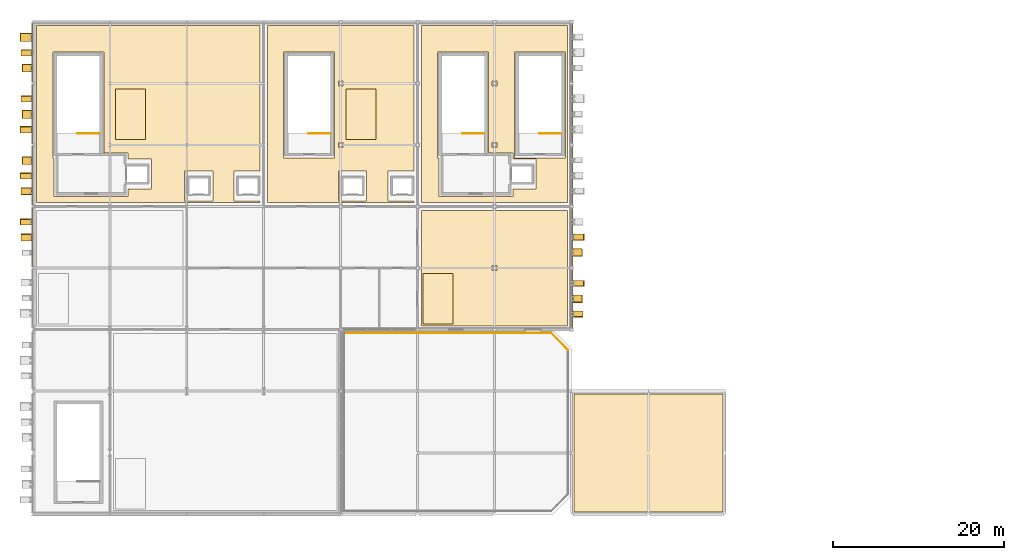
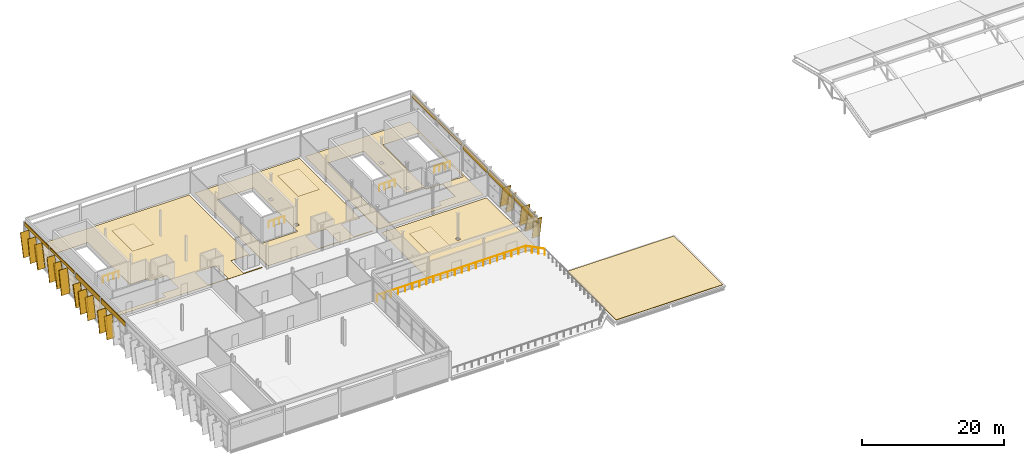
# One storey, part 51 of 52: 33 coverings, 16 shading devices, 6 railings.
"""IFC4 building model written with IfcOpenShell, lengths in metres."""

from ifc_helpers import new_model, si_unit, direction, frame, origin, origin_2d, place, context, subcontext, project, spatial, polyline, rectangle, circle, outline, extrude, material, layer, layer_set, material_profile, profile_set, type_object, element, save


model = new_model("IFC4")

# Units and contexts
model_context = context("Model", 3, precision=1e-05, world=origin(), true_north=direction((0.0, 1.0)))
body_context = subcontext(model_context, "Body", "Model", "MODEL_VIEW")
ifc_project = project(units=[si_unit("LENGTHUNIT", "METRE"), si_unit("AREAUNIT", "SQUARE_METRE"), si_unit("VOLUMEUNIT", "CUBIC_METRE"), si_unit("PLANEANGLEUNIT", "RADIAN"), si_unit("MASSUNIT", "GRAM", prefix="KILO")], contexts=[model_context])

# Site, building, storey
site_placement = place(None, origin())
site = spatial("IfcSite", under=ifc_project, at=site_placement, CompositionType="ELEMENT")
building_placement = place(site_placement, origin())
building = spatial("IfcBuilding", under=site, at=building_placement, Name="Celestram Park Convention Centre", CompositionType="ELEMENT")
storey_placement = place(building_placement, frame((0.0, 0.0, 24.300048828125)))
storey = spatial("IfcBuildingStorey", under=building, at=storey_placement, Name="L05", CompositionType="ELEMENT", Elevation=24.300048828125)

# Coverings
ifc_material_1 = material(Name="Anodised Bronze Aluminium Spandrel Cladding", Category="aluminium")
ifc_layer_1 = layer(ifc_material_1, 0.050048828125)
ifc_layer_set_1 = layer_set([ifc_layer_1], Name="Anodised Bronze Aluminium Spandrel Cladding")
covering_type_1 = type_object("IfcCoveringType", Name="ARC-COV-CLD060", PredefinedType="CLADDING", material=ifc_layer_set_1)
for number, where, z_axis, x_axis, name in (
    (1, (35.919921875, 140.39990234375, 3.66796875), (0.0, 0.0, 1.0), (0.0, 1.0, 0.0), "Bronze spandrel cladding CL-L05-247"),
    (2, (35.919921875, 147.60009765625, 3.66796875), (0.0, 0.0, 1.0), (0.0, 1.0, 0.0), "Bronze spandrel cladding CL-L05-248"),
):
    element("IfcCovering", number, at=place(storey_placement, frame(where, z_axis=z_axis, x_axis=x_axis)), inside=storey, type_object=covering_type_1, Name=name, PredefinedType="CLADDING", context=body_context, shape_type="SweptSolid", body=[
        extrude(rectangle(XDim=6.89697265625, YDim=0.1201171875, at=origin_2d()), origin(), (0.0, 0.0, 1.0), 0.83203125),
    ])
covering_1_placement = place(storey_placement, frame((35.919921875, 154.800048828125, 4.02978515625), z_axis=(0.0, 0.0, 1.0), x_axis=(0.0, 1.0, 0.0)))
element("IfcCovering", 3, at=covering_1_placement, inside=storey, type_object=covering_type_1, Name="Bronze spandrel cladding CL-L05-249", PredefinedType="CLADDING", context=body_context, shape_type="SweptSolid", body=[
    extrude(rectangle(XDim=6.89697265625, YDim=0.1201171875, at=origin_2d()), origin(), (0.0, 0.0, 1.0), 0.469970703125),
])
covering_2_placement = place(storey_placement, frame((35.919921875, 162.0, 3.923828125), z_axis=(0.0, 0.0, 1.0), x_axis=(0.0, 1.0, 0.0)))
element("IfcCovering", 4, at=covering_2_placement, inside=storey, type_object=covering_type_1, Name="Bronze spandrel cladding CL-L05-250", PredefinedType="CLADDING", context=body_context, shape_type="SweptSolid", body=[
    extrude(rectangle(XDim=6.89697265625, YDim=0.1201171875, at=origin_2d()), origin(), (0.0, 0.0, 1.0), 0.575927734375),
])
covering_3_placement = place(storey_placement, frame((99.080078125, 162.0, 3.923828125), z_axis=(0.0, 0.0, 1.0), x_axis=(0.0, -1.0, 0.0)))
element("IfcCovering", 5, at=covering_3_placement, inside=storey, type_object=covering_type_1, Name="Bronze spandrel cladding CL-L05-251", PredefinedType="CLADDING", context=body_context, shape_type="SweptSolid", body=[
    extrude(rectangle(XDim=6.802001953125, YDim=0.1201171875, at=origin_2d()), origin(), (0.0, 0.0, 1.0), 0.575927734375),
])
covering_4_placement = place(storey_placement, frame((99.080078125, 154.800048828125, 4.02978515625), z_axis=(0.0, 0.0, 1.0), x_axis=(0.0, -1.0, 0.0)))
element("IfcCovering", 6, at=covering_4_placement, inside=storey, type_object=covering_type_1, Name="Bronze spandrel cladding CL-L05-252", PredefinedType="CLADDING", context=body_context, shape_type="SweptSolid", body=[
    extrude(rectangle(XDim=6.802001953125, YDim=0.1201171875, at=origin_2d()), origin(), (0.0, 0.0, 1.0), 0.469970703125),
])
for number, where, z_axis, x_axis, name in (
    (7, (99.080078125, 147.60009765625, 3.66796875), (0.0, 0.0, 1.0), (0.0, -1.0, 0.0), "Bronze spandrel cladding CL-L05-253"),
    (8, (99.080078125, 140.39990234375, 3.66796875), (0.0, 0.0, 1.0), (0.0, -1.0, 0.0), "Bronze spandrel cladding CL-L05-254"),
    (9, (99.080078125, 133.199951171875, 3.66796875), (0.0, 0.0, 1.0), (0.0, -1.0, 0.0), "Bronze spandrel cladding CL-L05-255"),
):
    element("IfcCovering", number, at=place(storey_placement, frame(where, z_axis=z_axis, x_axis=x_axis)), inside=storey, type_object=covering_type_1, Name=name, PredefinedType="CLADDING", context=body_context, shape_type="SweptSolid", body=[
        extrude(rectangle(XDim=6.802001953125, YDim=0.1201171875, at=origin_2d()), origin(), (0.0, 0.0, 1.0), 0.83203125),
    ])
ifc_material_2 = material(Name="Perforated Acoustic Mineral-Fibre Baffle Ceiling", Category="gypsum")
ifc_layer_2 = layer(ifc_material_2, 0.0400390625)
ifc_layer_set_2 = layer_set([ifc_layer_2], Name="Perforated Acoustic Mineral-Fibre Baffle Ceiling")
covering_type_2 = type_object("IfcCoveringType", Name="ARC-COV-CLG040", PredefinedType="CEILING", material=ifc_layer_set_2)
covering_5_placement = place(storey_placement, frame((0.0, 0.0, 4.219970703125)))
element("IfcCovering", 10, at=covering_5_placement, inside=storey, type_object=covering_type_2, Name="Crown Summit Assembly Room acoustic baffle ceiling", PredefinedType="CEILING", context=body_context, shape_type="SweptSolid", body=[
    extrude(outline(polyline([(81.64990234375, 130.25), (85.14990234375, 130.25), (85.14990234375, 136.14990234375), (81.64990234375, 136.14990234375), (81.64990234375, 130.25)])), origin(), (0.0, 0.0, 1.0), 0.0400390625),
])
covering_6_placement = place(storey_placement, frame((0.0, 0.0, 4.219970703125)))
element("IfcCovering", 11, at=covering_6_placement, inside=storey, type_object=covering_type_2, Name="Crown Elevator Lobby West acoustic baffle ceiling", PredefinedType="CEILING", context=body_context, shape_type="SweptSolid", body=[
    extrude(outline(polyline([(45.64990234375, 151.85009765625), (49.14990234375, 151.85009765625), (49.14990234375, 157.75), (45.64990234375, 157.75), (45.64990234375, 151.85009765625)])), origin(), (0.0, 0.0, 1.0), 0.0400390625),
])
covering_7_placement = place(storey_placement, frame((0.0, 0.0, 4.219970703125)))
element("IfcCovering", 12, at=covering_7_placement, inside=storey, type_object=covering_type_2, Name="Diplomatic VIP Briefing Room acoustic baffle ceiling", PredefinedType="CEILING", context=body_context, shape_type="SweptSolid", body=[
    extrude(outline(polyline([(72.64990234375, 151.85009765625), (76.14990234375, 151.85009765625), (76.14990234375, 157.75), (72.64990234375, 157.75), (72.64990234375, 151.85009765625)])), origin(), (0.0, 0.0, 1.0), 0.0400390625),
])
ifc_material_3 = material(Name="Timber-Toned Anodised Aluminium Alloy 6063-T6", Category="wood")
ifc_material_profile_1 = material_profile(ifc_material_3, rectangle(XDim=1.1201171875, YDim=0.090087890625, at=origin_2d()), Name="REED1120X90")
ifc_profile_set_1 = profile_set([ifc_material_profile_1], Name="Timber-Toned Anodised Aluminium Alloy 6063-T6")
covering_type_3 = type_object("IfcCoveringType", Name="ARC-COV-FIN1120", PredefinedType="CLADDING", material=ifc_profile_set_1)
covering_8_placement = place(storey_placement, frame((35.360107421875, 148.978515625, 0.054443359375), z_axis=(0.0, 0.231720322485, 0.97278244852), x_axis=(-1.0, 0.0, 0.0)))
element("IfcCovering", 13, at=covering_8_placement, inside=storey, type_object=covering_type_3, Name="Leaning timber-toned reed fin RFN-L05-0776", PredefinedType="CLADDING", context=body_context, shape_type="SweptSolid", body=[
    extrude(rectangle(XDim=1.1201171875, YDim=0.090087890625, at=origin_2d()), origin(), (0.0, 0.0, 1.0), 3.63818359375),
])
covering_9_placement = place(storey_placement, frame((35.360107421875, 154.33642578125, 0.059326171875), z_axis=(0.0, 0.231749798909, 0.972775426656), x_axis=(-1.0, 0.0, 0.0)))
element("IfcCovering", 14, at=covering_9_placement, inside=storey, type_object=covering_type_3, Name="Leaning timber-toned reed fin RFN-L05-0778", PredefinedType="CLADDING", context=body_context, shape_type="SweptSolid", body=[
    extrude(rectangle(XDim=1.1201171875, YDim=0.090087890625, at=origin_2d()), origin(), (0.0, 0.0, 1.0), 4.0),
])
covering_10_placement = place(storey_placement, frame((35.360107421875, 159.748779296875, 0.057861328125), z_axis=(0.0, 0.231722237908, 0.972781992257), x_axis=(-1.0, 0.0, 0.0)))
element("IfcCovering", 15, at=covering_10_placement, inside=storey, type_object=covering_type_3, Name="Leaning timber-toned reed fin RFN-L05-0780", PredefinedType="CLADDING", context=body_context, shape_type="SweptSolid", body=[
    extrude(rectangle(XDim=1.1201171875, YDim=0.090087890625, at=origin_2d()), origin(), (0.0, 0.0, 1.0), 3.89404296875),
])
for number, where, z_axis, x_axis, name in (
    (16, (99.639892578125, 139.021484375, 0.054443359375), (0.0, -0.231720322485, 0.97278244852), (1.0, 0.0, 0.0), "Leaning timber-toned reed fin RFN-L05-0794"),
    (17, (99.639892578125, 133.62158203125, 0.054443359375), (0.0, -0.231720322485, 0.97278244852), (1.0, 0.0, 0.0), "Leaning timber-toned reed fin RFN-L05-0796"),
):
    element("IfcCovering", number, at=place(storey_placement, frame(where, z_axis=z_axis, x_axis=x_axis)), inside=storey, type_object=covering_type_3, Name=name, PredefinedType="CLADDING", context=body_context, shape_type="SweptSolid", body=[
        extrude(rectangle(XDim=1.1201171875, YDim=0.090087890625, at=origin_2d()), origin(), (0.0, 0.0, 1.0), 3.63818359375),
    ])
ifc_material_profile_2 = material_profile(ifc_material_3, rectangle(XDim=1.280029296875, YDim=0.090087890625, at=origin_2d()), Name="REED1280X90")
ifc_profile_set_2 = profile_set([ifc_material_profile_2], Name="Timber-Toned Anodised Aluminium Alloy 6063-T6")
covering_type_4 = type_object("IfcCoveringType", Name="ARC-COV-FIN1280", PredefinedType="CLADDING", material=ifc_profile_set_2)
for number, where, z_axis, x_axis, name in (
    (18, (35.280029296875, 140.018798828125, 0.04541015625), (0.0, 0.209584085746, 0.977790627385), (-1.0, 0.0, 0.0), "Leaning timber-toned reed fin RFN-L05-0772"),
    (19, (35.280029296875, 145.418701171875, 0.04541015625), (0.0, 0.209648246417, 0.977776872694), (-1.0, 0.0, 0.0), "Leaning timber-toned reed fin RFN-L05-0774"),
):
    element("IfcCovering", number, at=place(storey_placement, frame(where, z_axis=z_axis, x_axis=x_axis)), inside=storey, type_object=covering_type_4, Name=name, PredefinedType="CLADDING", context=body_context, shape_type="SweptSolid", body=[
        extrude(rectangle(XDim=1.280029296875, YDim=0.090087890625, at=origin_2d()), origin(), (0.0, 0.0, 1.0), 3.637939453125),
    ])
covering_11_placement = place(storey_placement, frame((35.280029296875, 156.259521484375, 0.0341796875), z_axis=(0.0, 0.170225753969, 0.985405090653), x_axis=(-1.0, 0.0, 0.0)))
element("IfcCovering", 20, at=covering_11_placement, inside=storey, type_object=covering_type_4, Name="Leaning timber-toned reed fin RFN-L05-0779", PredefinedType="CLADDING", context=body_context, shape_type="SweptSolid", body=[
    extrude(rectangle(XDim=1.280029296875, YDim=0.090087890625, at=origin_2d()), origin(), (0.0, 0.0, 1.0), 4.0),
])
covering_12_placement = place(storey_placement, frame((35.280029296875, 161.668701171875, 0.033447265625), z_axis=(0.0, 0.170160958731, 0.985416281641), x_axis=(-1.0, 0.0, 0.0)))
element("IfcCovering", 21, at=covering_12_placement, inside=storey, type_object=covering_type_4, Name="Leaning timber-toned reed fin RFN-L05-0781", PredefinedType="CLADDING", context=body_context, shape_type="SweptSolid", body=[
    extrude(rectangle(XDim=1.280029296875, YDim=0.090087890625, at=origin_2d()), origin(), (0.0, 0.0, 1.0), 3.89404296875),
])
covering_13_placement = place(storey_placement, frame((99.719970703125, 131.709716796875, 0.031494140625), z_axis=(0.0, -0.170250733232, 0.985400775235), x_axis=(1.0, 0.0, 0.0)))
element("IfcCovering", 22, at=covering_13_placement, inside=storey, type_object=covering_type_4, Name="Leaning timber-toned reed fin RFN-L05-0797", PredefinedType="CLADDING", context=body_context, shape_type="SweptSolid", body=[
    extrude(rectangle(XDim=1.280029296875, YDim=0.090087890625, at=origin_2d()), origin(), (0.0, 0.0, 1.0), 3.63818359375),
])
ifc_material_profile_3 = material_profile(ifc_material_3, rectangle(XDim=1.419921875, YDim=0.090087890625, at=origin_2d()), Name="REED1420X90")
ifc_profile_set_3 = profile_set([ifc_material_profile_3], Name="Timber-Toned Anodised Aluminium Alloy 6063-T6")
covering_type_5 = type_object("IfcCoveringType", Name="ARC-COV-FIN1420", PredefinedType="CLADDING", material=ifc_profile_set_3)
for number, where, z_axis, x_axis, name in (
    (23, (35.2099609375, 141.87158203125, 0.034912109375), (0.0, 0.180526977983, 0.983570033206), (-1.0, 0.0, 0.0), "Leaning timber-toned reed fin RFN-L05-0773"),
    (24, (35.2099609375, 147.271484375, 0.034912109375), (0.0, 0.180591900077, 0.983558115023), (-1.0, 0.0, 0.0), "Leaning timber-toned reed fin RFN-L05-0775"),
):
    element("IfcCovering", number, at=place(storey_placement, frame(where, z_axis=z_axis, x_axis=x_axis)), inside=storey, type_object=covering_type_5, Name=name, PredefinedType="CLADDING", context=body_context, shape_type="SweptSolid", body=[
        extrude(rectangle(XDim=1.419921875, YDim=0.090087890625, at=origin_2d()), origin(), (0.0, 0.0, 1.0), 3.637939453125),
    ])
covering_14_placement = place(storey_placement, frame((35.2099609375, 152.638916015625, 0.037841796875), z_axis=(0.0, 0.180539459001, 0.983567742326), x_axis=(-1.0, 0.0, 0.0)))
element("IfcCovering", 25, at=covering_14_placement, inside=storey, type_object=covering_type_5, Name="Leaning timber-toned reed fin RFN-L05-0777", PredefinedType="CLADDING", context=body_context, shape_type="SweptSolid", body=[
    extrude(rectangle(XDim=1.419921875, YDim=0.090087890625, at=origin_2d()), origin(), (0.0, 0.0, 1.0), 4.0),
])
covering_15_placement = place(storey_placement, frame((35.2099609375, 163.335693359375, 0.06103515625), z_axis=(0.0, 0.238491540505, 0.971144574771), x_axis=(-1.0, 0.0, 0.0)))
element("IfcCovering", 26, at=covering_15_placement, inside=storey, type_object=covering_type_5, Name="Leaning timber-toned reed fin RFN-L05-0782", PredefinedType="CLADDING", context=body_context, shape_type="SweptSolid", body=[
    extrude(rectangle(XDim=1.419921875, YDim=0.090087890625, at=origin_2d()), origin(), (0.0, 0.0, 1.0), 3.89404296875),
])
for number, where, z_axis, x_axis, name in (
    (27, (99.7900390625, 140.728515625, 0.034912109375), (0.0, -0.180591900077, 0.983558115023), (1.0, 0.0, 0.0), "Leaning timber-toned reed fin RFN-L05-0793"),
    (28, (99.7900390625, 135.328369140625, 0.034912109375), (0.0, -0.180526977983, 0.983570033206), (1.0, 0.0, 0.0), "Leaning timber-toned reed fin RFN-L05-0795"),
):
    element("IfcCovering", number, at=place(storey_placement, frame(where, z_axis=z_axis, x_axis=x_axis)), inside=storey, type_object=covering_type_5, Name=name, PredefinedType="CLADDING", context=body_context, shape_type="SweptSolid", body=[
        extrude(rectangle(XDim=1.419921875, YDim=0.090087890625, at=origin_2d()), origin(), (0.0, 0.0, 1.0), 3.637939453125),
    ])
ifc_material_4 = material(Name="Polished Lakefront Aggregate Terrazzo Flooring", Category="concrete")
ifc_layer_3 = layer(ifc_material_4, 0.02001953125)
ifc_layer_set_3 = layer_set([ifc_layer_3], Name="Polished Lakefront Aggregate Terrazzo Flooring")
covering_type_6 = type_object("IfcCoveringType", Name="ARC-COV-FLR020", PredefinedType="FLOORING", material=ifc_layer_set_3)
covering_16_placement = place(storey_placement, origin())
element("IfcCovering", 29, at=covering_16_placement, inside=storey, type_object=covering_type_6, Name="Crown Summit Assembly Room terrazzo flooring", PredefinedType="FLOORING", context=body_context, shape_type="SweptSolid", body=[
    extrude(outline(polyline([(98.550048828125, 143.550048828125), (98.550048828125, 130.050048828125), (81.449951171875, 130.050048828125), (81.449951171875, 143.550048828125), (98.550048828125, 143.550048828125)]), holes=[polyline([(89.720947265625, 136.52099609375), (90.279052734375, 136.52099609375), (90.279052734375, 137.0791015625), (89.720947265625, 137.0791015625), (89.720947265625, 136.52099609375)])]), origin(), (0.0, 0.0, 1.0), 0.02001953125),
])
covering_17_placement = place(storey_placement, origin())
element("IfcCovering", 30, at=covering_17_placement, inside=storey, type_object=covering_type_6, Name="Crown Elevator Lobby West terrazzo flooring", PredefinedType="FLOORING", context=body_context, shape_type="SweptSolid", body=[
    extrude(outline(polyline([(36.449951171875, 165.14990234375), (62.550048828125, 165.14990234375), (62.550048828125, 148.14990234375), (59.550048828125, 148.14990234375), (59.550048828125, 144.64990234375), (62.550048828125, 144.64990234375), (62.550048828125, 144.449951171875), (36.449951171875, 144.449951171875), (36.449951171875, 165.14990234375)]), holes=[polyline([(53.75, 148.14990234375), (53.75, 144.64990234375), (57.050048828125, 144.64990234375), (57.050048828125, 148.14990234375), (53.75, 148.14990234375)]), polyline([(47.1298828125, 145.14990234375), (47.1298828125, 146.050048828125), (49.85009765625, 146.050048828125), (49.85009765625, 149.550048828125), (47.1298828125, 149.550048828125), (47.1298828125, 150.25), (44.300048828125, 150.25), (44.300048828125, 162.10009765625), (38.340087890625, 162.10009765625), (38.340087890625, 149.699951171875), (38.489990234375, 149.699951171875), (38.489990234375, 145.14990234375), (47.1298828125, 145.14990234375)])]), origin(), (0.0, 0.0, 1.0), 0.02001953125),
])
covering_18_placement = place(storey_placement, origin())
element("IfcCovering", 31, at=covering_18_placement, inside=storey, type_object=covering_type_6, Name="Diplomatic VIP Briefing Room terrazzo flooring", PredefinedType="FLOORING", context=body_context, shape_type="SweptSolid", body=[
    extrude(outline(polyline([(63.449951171875, 165.14990234375), (80.550048828125, 165.14990234375), (80.550048828125, 148.14990234375), (77.550048828125, 148.14990234375), (77.550048828125, 144.64990234375), (80.550048828125, 144.64990234375), (80.550048828125, 144.449951171875), (63.449951171875, 144.449951171875), (63.449951171875, 165.14990234375)]), holes=[polyline([(71.75, 144.64990234375), (75.050048828125, 144.64990234375), (75.050048828125, 148.14990234375), (71.75, 148.14990234375), (71.75, 144.64990234375)]), polyline([(65.340087890625, 149.699951171875), (71.300048828125, 149.699951171875), (71.300048828125, 162.10009765625), (65.340087890625, 162.10009765625), (65.340087890625, 149.699951171875)]), polyline([(71.720947265625, 150.9208984375), (72.279052734375, 150.9208984375), (72.279052734375, 151.47900390625), (71.720947265625, 151.47900390625), (71.720947265625, 150.9208984375)]), polyline([(71.720947265625, 158.12109375), (72.279052734375, 158.12109375), (72.279052734375, 158.678955078125), (71.720947265625, 158.678955078125), (71.720947265625, 158.12109375)])]), origin(), (0.0, 0.0, 1.0), 0.02001953125),
])
covering_19_placement = place(storey_placement, origin())
element("IfcCovering", 32, at=covering_19_placement, inside=storey, type_object=covering_type_6, Name="Crown Elevator Lobby East terrazzo flooring", PredefinedType="FLOORING", context=body_context, shape_type="SweptSolid", body=[
    extrude(outline(polyline([(98.550048828125, 165.14990234375), (98.550048828125, 144.449951171875), (81.449951171875, 144.449951171875), (81.449951171875, 165.14990234375), (98.550048828125, 165.14990234375)]), holes=[polyline([(83.489990234375, 145.14990234375), (92.1298828125, 145.14990234375), (92.1298828125, 146.050048828125), (94.85009765625, 146.050048828125), (94.85009765625, 149.550048828125), (92.1298828125, 149.550048828125), (92.1298828125, 150.25), (89.300048828125, 150.25), (89.300048828125, 162.10009765625), (83.340087890625, 162.10009765625), (83.340087890625, 149.699951171875), (83.489990234375, 149.699951171875), (83.489990234375, 145.14990234375)]), polyline([(92.340087890625, 162.10009765625), (92.340087890625, 149.699951171875), (98.300048828125, 149.699951171875), (98.300048828125, 162.10009765625), (92.340087890625, 162.10009765625)]), polyline([(89.720947265625, 150.9208984375), (90.279052734375, 150.9208984375), (90.279052734375, 151.47900390625), (89.720947265625, 151.47900390625), (89.720947265625, 150.9208984375)]), polyline([(89.720947265625, 158.12109375), (90.279052734375, 158.12109375), (90.279052734375, 158.678955078125), (89.720947265625, 158.678955078125), (89.720947265625, 158.12109375)])]), origin(), (0.0, 0.0, 1.0), 0.02001953125),
])
ifc_material_5 = material(Name="TPO Membrane & Polyisocyanurate Roof Insulation", Category="insulation")
ifc_layer_4 = layer(ifc_material_5, 0.080078125)
ifc_layer_set_4 = layer_set([ifc_layer_4], Name="TPO Membrane & Polyisocyanurate Roof Insulation")
covering_type_7 = type_object("IfcCoveringType", Name="ARC-COV-RFG180", PredefinedType="ROOFING", material=ifc_layer_set_4)
covering_20_placement = place(storey_placement, origin())
element("IfcCovering", 33, at=covering_20_placement, inside=storey, type_object=covering_type_7, Name="Insulated TPO roof membrane RFG-L05-05", PredefinedType="ROOFING", context=body_context, shape_type="SweptSolid", body=[
    extrude(outline(polyline([(99.300048828125, 108.300048828125), (99.300048828125, 122.10009765625), (116.699951171875, 122.10009765625), (116.699951171875, 108.300048828125), (99.300048828125, 108.300048828125)])), origin(), (0.0, 0.0, 1.0), 0.079833984375),
])

# Shading devices
ifc_material_6 = material(Name="Anodised Bronze Aluminium Alloy 6063-T6", Category="aluminium")
ifc_material_profile_4 = material_profile(ifc_material_6, rectangle(XDim=1.280029296875, YDim=0.080078125, at=origin_2d()), Name="FIN1280X80")
ifc_profile_set_4 = profile_set([ifc_material_profile_4], Name="Anodised Bronze Aluminium Alloy 6063-T6")
shading_device_type = type_object("IfcShadingDeviceType", Name="ARC-FIN-BZ1280", PredefinedType="USERDEFINED", material=ifc_profile_set_4)
for number, where, z_axis, x_axis, name in (
    (34, (35.280029296875, 140.018798828125, 0.04541015625), (0.0, 0.209584085746, 0.977790627385), (-1.0, 0.0, 0.0), "Expressive solar fin FN-L05-0772"),
    (35, (35.2099609375, 141.87158203125, 0.034912109375), (0.0, 0.180526977983, 0.983570033206), (-1.0, 0.0, 0.0), "Expressive solar fin FN-L05-0773"),
    (36, (35.280029296875, 145.418701171875, 0.04541015625), (0.0, 0.209648246417, 0.977776872694), (-1.0, 0.0, 0.0), "Expressive solar fin FN-L05-0774"),
    (37, (35.2099609375, 147.271484375, 0.034912109375), (0.0, 0.180591900077, 0.983558115023), (-1.0, 0.0, 0.0), "Expressive solar fin FN-L05-0775"),
):
    element("IfcShadingDevice", number, at=place(storey_placement, frame(where, z_axis=z_axis, x_axis=x_axis)), inside=storey, type_object=shading_device_type, Name=name, ObjectType="SOLAR_FIN", PredefinedType="USERDEFINED", context=body_context, shape_type="SweptSolid", body=[
        extrude(rectangle(XDim=1.280029296875, YDim=0.080078125, at=origin_2d()), origin(), (0.0, 0.0, 1.0), 3.637939453125),
    ])
shading_device_1_placement = place(storey_placement, frame((35.360107421875, 148.978515625, 0.054443359375), z_axis=(0.0, 0.231720322485, 0.97278244852), x_axis=(-1.0, 0.0, 0.0)))
element("IfcShadingDevice", 38, at=shading_device_1_placement, inside=storey, type_object=shading_device_type, Name="Expressive solar fin FN-L05-0776", ObjectType="SOLAR_FIN", PredefinedType="USERDEFINED", context=body_context, shape_type="SweptSolid", body=[
    extrude(rectangle(XDim=1.280029296875, YDim=0.080078125, at=origin_2d()), origin(), (0.0, 0.0, 1.0), 3.63818359375),
])
for number, where, z_axis, x_axis, name in (
    (39, (35.2099609375, 152.638916015625, 0.037841796875), (0.0, 0.180539459001, 0.983567742326), (-1.0, 0.0, 0.0), "Expressive solar fin FN-L05-0777"),
    (40, (35.360107421875, 154.33642578125, 0.059326171875), (0.0, 0.231749798909, 0.972775426656), (-1.0, 0.0, 0.0), "Expressive solar fin FN-L05-0778"),
    (41, (35.280029296875, 156.259521484375, 0.0341796875), (0.0, 0.170225753969, 0.985405090653), (-1.0, 0.0, 0.0), "Expressive solar fin FN-L05-0779"),
):
    element("IfcShadingDevice", number, at=place(storey_placement, frame(where, z_axis=z_axis, x_axis=x_axis)), inside=storey, type_object=shading_device_type, Name=name, ObjectType="SOLAR_FIN", PredefinedType="USERDEFINED", context=body_context, shape_type="SweptSolid", body=[
        extrude(rectangle(XDim=1.280029296875, YDim=0.080078125, at=origin_2d()), origin(), (0.0, 0.0, 1.0), 4.0),
    ])
for number, where, z_axis, x_axis, name in (
    (42, (35.360107421875, 159.748779296875, 0.057861328125), (0.0, 0.231722237908, 0.972781992257), (-1.0, 0.0, 0.0), "Expressive solar fin FN-L05-0780"),
    (43, (35.280029296875, 161.668701171875, 0.033447265625), (0.0, 0.170160958731, 0.985416281641), (-1.0, 0.0, 0.0), "Expressive solar fin FN-L05-0781"),
    (44, (35.2099609375, 163.335693359375, 0.06103515625), (0.0, 0.238491540505, 0.971144574771), (-1.0, 0.0, 0.0), "Expressive solar fin FN-L05-0782"),
):
    element("IfcShadingDevice", number, at=place(storey_placement, frame(where, z_axis=z_axis, x_axis=x_axis)), inside=storey, type_object=shading_device_type, Name=name, ObjectType="SOLAR_FIN", PredefinedType="USERDEFINED", context=body_context, shape_type="SweptSolid", body=[
        extrude(rectangle(XDim=1.280029296875, YDim=0.080078125, at=origin_2d()), origin(), (0.0, 0.0, 1.0), 3.89404296875),
    ])
shading_device_2_placement = place(storey_placement, frame((99.7900390625, 140.728515625, 0.034912109375), z_axis=(0.0, -0.180591900077, 0.983558115023), x_axis=(1.0, 0.0, 0.0)))
element("IfcShadingDevice", 45, at=shading_device_2_placement, inside=storey, type_object=shading_device_type, Name="Expressive solar fin FN-L05-0793", ObjectType="SOLAR_FIN", PredefinedType="USERDEFINED", context=body_context, shape_type="SweptSolid", body=[
    extrude(rectangle(XDim=1.280029296875, YDim=0.080078125, at=origin_2d()), origin(), (0.0, 0.0, 1.0), 3.637939453125),
])
shading_device_3_placement = place(storey_placement, frame((99.639892578125, 139.021484375, 0.054443359375), z_axis=(0.0, -0.231720322485, 0.97278244852), x_axis=(1.0, 0.0, 0.0)))
element("IfcShadingDevice", 46, at=shading_device_3_placement, inside=storey, type_object=shading_device_type, Name="Expressive solar fin FN-L05-0794", ObjectType="SOLAR_FIN", PredefinedType="USERDEFINED", context=body_context, shape_type="SweptSolid", body=[
    extrude(rectangle(XDim=1.280029296875, YDim=0.080078125, at=origin_2d()), origin(), (0.0, 0.0, 1.0), 3.63818359375),
])
shading_device_4_placement = place(storey_placement, frame((99.7900390625, 135.328369140625, 0.034912109375), z_axis=(0.0, -0.180526977983, 0.983570033206), x_axis=(1.0, 0.0, 0.0)))
element("IfcShadingDevice", 47, at=shading_device_4_placement, inside=storey, type_object=shading_device_type, Name="Expressive solar fin FN-L05-0795", ObjectType="SOLAR_FIN", PredefinedType="USERDEFINED", context=body_context, shape_type="SweptSolid", body=[
    extrude(rectangle(XDim=1.280029296875, YDim=0.080078125, at=origin_2d()), origin(), (0.0, 0.0, 1.0), 3.637939453125),
])
for number, where, z_axis, x_axis, name in (
    (48, (99.639892578125, 133.62158203125, 0.054443359375), (0.0, -0.231720322485, 0.97278244852), (1.0, 0.0, 0.0), "Expressive solar fin FN-L05-0796"),
    (49, (99.719970703125, 131.709716796875, 0.031494140625), (0.0, -0.170250733232, 0.985400775235), (1.0, 0.0, 0.0), "Expressive solar fin FN-L05-0797"),
):
    element("IfcShadingDevice", number, at=place(storey_placement, frame(where, z_axis=z_axis, x_axis=x_axis)), inside=storey, type_object=shading_device_type, Name=name, ObjectType="SOLAR_FIN", PredefinedType="USERDEFINED", context=body_context, shape_type="SweptSolid", body=[
        extrude(rectangle(XDim=1.280029296875, YDim=0.080078125, at=origin_2d()), origin(), (0.0, 0.0, 1.0), 3.63818359375),
    ])

# Railings
ifc_material_7 = material(Name="Stainless Steel AISI 316L & Laminated Glass", Category="steel")
ifc_layer_5 = layer(ifc_material_7, 0.06005859375)
ifc_layer_set_5 = layer_set([ifc_layer_5], Name="Stainless Steel AISI 316L & Laminated Glass")
railing_type = type_object("IfcRailingType", Name="ARC-RL-GRD1120", PredefinedType="GUARDRAIL", material=ifc_layer_set_5)
railing_1_placement = place(storey_placement, frame((72.39990234375, 129.199951171875, 0.0)))
element("IfcRailing", 50, at=railing_1_placement, inside=storey, type_object=railing_type, Name="Terrace perimeter safety guard RL-L05-TG014", PredefinedType="GUARDRAIL", context=body_context, shape_type="SweptSolid", body=[
    extrude(circle(Radius=0.02392578125, at=origin_2d()), frame((0.0, 0.0, 1.09619140625), z_axis=(1.0, 0.0, 0.0), x_axis=(0.0, 1.0, 0.0)), (0.0, 0.0, 1.0), 24.234375),
    extrude(circle(Radius=0.02099609375, at=origin_2d()), origin(), (0.0, 0.0, 1.0), 1.072021484375),
    extrude(circle(Radius=0.02099609375, at=origin_2d()), frame((1.154052734375, 0.0, 0.0)), (0.0, 0.0, 1.0), 1.072021484375),
    extrude(circle(Radius=0.02099609375, at=origin_2d()), frame((2.30810546875, 0.0, 0.0)), (0.0, 0.0, 1.0), 1.072021484375),
    extrude(circle(Radius=0.02099609375, at=origin_2d()), frame((3.462158203125, 0.0, 0.0)), (0.0, 0.0, 1.0), 1.072021484375),
    extrude(circle(Radius=0.02099609375, at=origin_2d()), frame((4.615966796875, 0.0, 0.0)), (0.0, 0.0, 1.0), 1.072021484375),
    extrude(circle(Radius=0.02099609375, at=origin_2d()), frame((5.77001953125, 0.0, 0.0)), (0.0, 0.0, 1.0), 1.072021484375),
    extrude(circle(Radius=0.02099609375, at=origin_2d()), frame((6.924072265625, 0.0, 0.0)), (0.0, 0.0, 1.0), 1.072021484375),
    extrude(circle(Radius=0.02099609375, at=origin_2d()), frame((8.078125, 0.0, 0.0)), (0.0, 0.0, 1.0), 1.072021484375),
    extrude(circle(Radius=0.02099609375, at=origin_2d()), frame((9.232177734375, 0.0, 0.0)), (0.0, 0.0, 1.0), 1.072021484375),
    extrude(circle(Radius=0.02099609375, at=origin_2d()), frame((10.38623046875, 0.0, 0.0)), (0.0, 0.0, 1.0), 1.072021484375),
    extrude(circle(Radius=0.02099609375, at=origin_2d()), frame((11.540283203125, 0.0, 0.0)), (0.0, 0.0, 1.0), 1.072021484375),
    extrude(circle(Radius=0.02099609375, at=origin_2d()), frame((12.694091796875, 0.0, 0.0)), (0.0, 0.0, 1.0), 1.072021484375),
    extrude(circle(Radius=0.02099609375, at=origin_2d()), frame((13.84814453125, 0.0, 0.0)), (0.0, 0.0, 1.0), 1.072021484375),
    extrude(circle(Radius=0.02099609375, at=origin_2d()), frame((15.002197265625, 0.0, 0.0)), (0.0, 0.0, 1.0), 1.072021484375),
    extrude(circle(Radius=0.02099609375, at=origin_2d()), frame((16.15625, 0.0, 0.0)), (0.0, 0.0, 1.0), 1.072021484375),
    extrude(circle(Radius=0.02099609375, at=origin_2d()), frame((17.310302734375, 0.0, 0.0)), (0.0, 0.0, 1.0), 1.072021484375),
    extrude(circle(Radius=0.02099609375, at=origin_2d()), frame((18.46435546875, 0.0, 0.0)), (0.0, 0.0, 1.0), 1.072021484375),
    extrude(circle(Radius=0.02099609375, at=origin_2d()), frame((19.618408203125, 0.0, 0.0)), (0.0, 0.0, 1.0), 1.072021484375),
    extrude(circle(Radius=0.02099609375, at=origin_2d()), frame((20.772216796875, 0.0, 0.0)), (0.0, 0.0, 1.0), 1.072021484375),
    extrude(circle(Radius=0.02099609375, at=origin_2d()), frame((21.92626953125, 0.0, 0.0)), (0.0, 0.0, 1.0), 1.072021484375),
    extrude(circle(Radius=0.02099609375, at=origin_2d()), frame((23.080322265625, 0.0, 0.0)), (0.0, 0.0, 1.0), 1.072021484375),
    extrude(circle(Radius=0.02099609375, at=origin_2d()), frame((24.234375, 0.0, 0.0)), (0.0, 0.0, 1.0), 1.072021484375),
])
railing_2_placement = place(storey_placement, frame((96.63427734375, 129.199951171875, 0.0)))
element("IfcRailing", 51, at=railing_2_placement, inside=storey, type_object=railing_type, Name="Terrace perimeter safety guard RL-L05-TG015", PredefinedType="GUARDRAIL", context=body_context, shape_type="SweptSolid", body=[
    extrude(circle(Radius=0.02392578125, at=origin_2d()), frame((0.0, 0.0, 1.09619140625), z_axis=(0.707150691317, -0.70706286833, 0.0), x_axis=(0.70706286833, 0.707150691317, 0.0)), (0.0, 0.0, 1.0), 2.780029296875),
    extrude(circle(Radius=0.02099609375, at=origin_2d()), origin(), (0.0, 0.0, 1.0), 1.072021484375),
    extrude(circle(Radius=0.02099609375, at=origin_2d()), frame((0.6552734375, -0.6552734375, 0.0)), (0.0, 0.0, 1.0), 1.072021484375),
    extrude(circle(Radius=0.02099609375, at=origin_2d()), frame((1.310546875, -1.310302734375, 0.0)), (0.0, 0.0, 1.0), 1.072021484375),
    extrude(circle(Radius=0.02099609375, at=origin_2d()), frame((1.9658203125, -1.965576171875, 0.0)), (0.0, 0.0, 1.0), 1.072021484375),
])
for number, where, name in (
    (52, (43.800048828125, 152.550048828125, 0.0), "L05 ST-01 top well guard 1"),
    (53, (88.800048828125, 152.550048828125, 0.0), "L05 ST-02 top well guard 1"),
    (54, (70.800048828125, 152.550048828125, 0.0), "L05 ST-14 top well guard 1"),
    (55, (97.800048828125, 152.550048828125, 0.0), "L05 ST-19 top well guard 1"),
):
    element("IfcRailing", number, at=place(storey_placement, frame(where)), inside=storey, type_object=railing_type, Name=name, PredefinedType="GUARDRAIL", context=body_context, shape_type="SweptSolid", body=[
        extrude(circle(Radius=0.02392578125, at=origin_2d()), frame((0.0, 0.0, 1.09619140625), z_axis=(-1.0, 0.0, 0.0), x_axis=(0.0, -1.0, 0.0)), (0.0, 0.0, 1.0), 2.56005859375),
        extrude(circle(Radius=0.02099609375, at=origin_2d()), origin(), (0.0, 0.0, 1.0), 1.072021484375),
        extrude(circle(Radius=0.02099609375, at=origin_2d()), frame((-0.853271484375, 0.0, 0.0)), (0.0, 0.0, 1.0), 1.072021484375),
        extrude(circle(Radius=0.02099609375, at=origin_2d()), frame((-1.706787109375, 0.0, 0.0)), (0.0, 0.0, 1.0), 1.072021484375),
        extrude(circle(Radius=0.02099609375, at=origin_2d()), frame((-2.56005859375, 0.0, 0.0)), (0.0, 0.0, 1.0), 1.072021484375),
    ])

save(model, "model.ifc")
